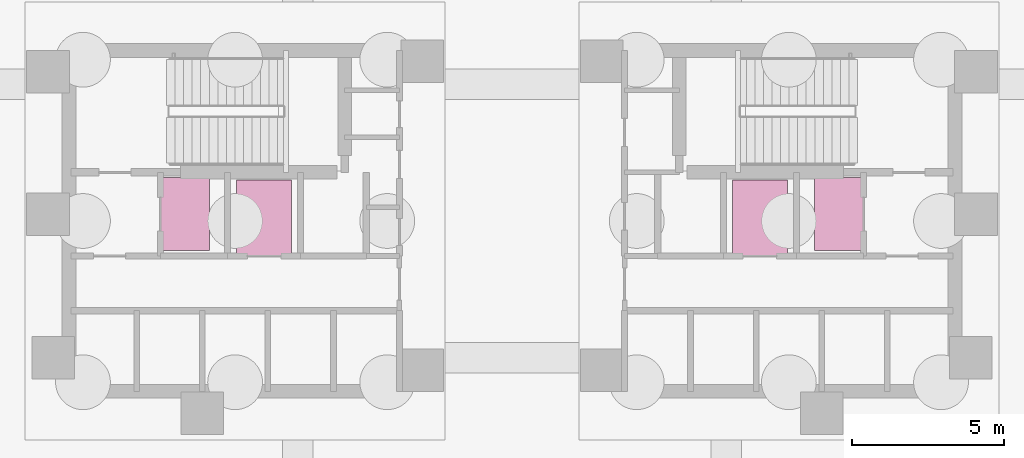
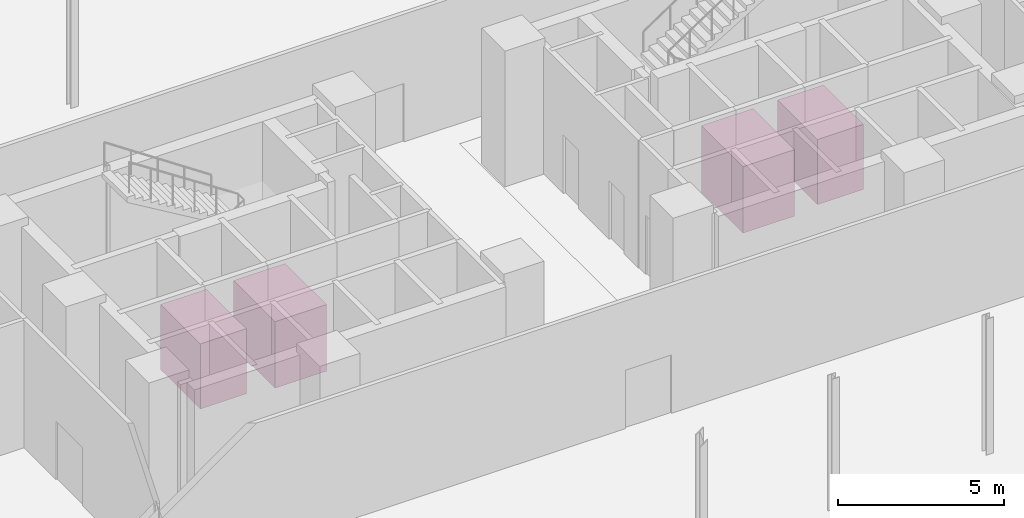
# One storey, part 16 of 16: 4 transport elements.
"""IFC4 building model written with IfcOpenShell, lengths in metres."""

from ifc_helpers import new_model, si_unit, direction, frame, origin, origin_2d, place, context, subcontext, project, spatial, rectangle, extrude, material, type_object, element, save


model = new_model("IFC4")

# Units and contexts
model_context = context("Model", 3, precision=1e-05, world=origin(), true_north=direction((0.0, 1.0)))
body_context = subcontext(model_context, "Body", "Model", "MODEL_VIEW")
ifc_project = project(units=[si_unit("LENGTHUNIT", "METRE"), si_unit("AREAUNIT", "SQUARE_METRE"), si_unit("VOLUMEUNIT", "CUBIC_METRE"), si_unit("PLANEANGLEUNIT", "RADIAN"), si_unit("MASSUNIT", "GRAM", prefix="KILO")], contexts=[model_context])

# Site, building, storey
site_placement = place(None, origin())
site = spatial("IfcSite", under=ifc_project, at=site_placement, CompositionType="ELEMENT")
building_placement = place(site_placement, origin())
building = spatial("IfcBuilding", under=site, at=building_placement, Name="Menara Jurai Vektor", CompositionType="ELEMENT")
storey_placement = place(building_placement, frame((0.0, 0.0, -5.0)))
storey = spatial("IfcBuildingStorey", under=building, at=storey_placement, Name="B1", CompositionType="ELEMENT", Elevation=-5.0)

# Transport elements
ifc_material_1 = material(Name="Fire-Rated Stainless Steel Lift Car", Category="steel")
transport_element_type_1 = type_object("IfcTransportElementType", Name="LIFT-FIRE-1600x2400", PredefinedType="ELEVATOR", material=ifc_material_1)
for number, where, z_axis, x_axis, name in (
    (1, (-10.75, 0.22509765625, 0.0), (0.0, 0.0, 1.0), (1.0, 0.0, 0.0), "Elevator FL1"),
    (2, (10.75, 0.22509765625, 0.0), (0.0, 0.0, 1.0), (1.0, 0.0, 0.0), "Elevator FL2"),
):
    element("IfcTransportElement", number, at=place(storey_placement, frame(where, z_axis=z_axis, x_axis=x_axis)), inside=storey, type_object=transport_element_type_1, Name=name, PredefinedType="ELEVATOR", context=body_context, shape_type="SweptSolid", body=[
        extrude(rectangle(XDim=1.60009765625, YDim=2.39990234375, at=origin_2d()), origin(), (0.0, 0.0, 1.0), 2.39990234375),
    ])
ifc_material_2 = material(Name="Heavy-Duty Stainless Service Lift Car", Category="steel")
transport_element_type_2 = type_object("IfcTransportElementType", Name="LIFT-SVC-1800x2500", PredefinedType="ELEVATOR", material=ifc_material_2)
for number, where, z_axis, x_axis, name in (
    (3, (-8.14990234375, 0.10009765625, 0.0), (0.0, 0.0, 1.0), (1.0, 0.0, 0.0), "Elevator SVL1"),
    (4, (8.14990234375, 0.10009765625, 0.0), (0.0, 0.0, 1.0), (1.0, 0.0, 0.0), "Elevator SVL2"),
):
    element("IfcTransportElement", number, at=place(storey_placement, frame(where, z_axis=z_axis, x_axis=x_axis)), inside=storey, type_object=transport_element_type_2, Name=name, PredefinedType="ELEVATOR", context=body_context, shape_type="SweptSolid", body=[
        extrude(rectangle(XDim=1.800048828125, YDim=2.5, at=origin_2d()), origin(), (0.0, 0.0, 1.0), 2.449951171875),
    ])

save(model, "model.ifc")
